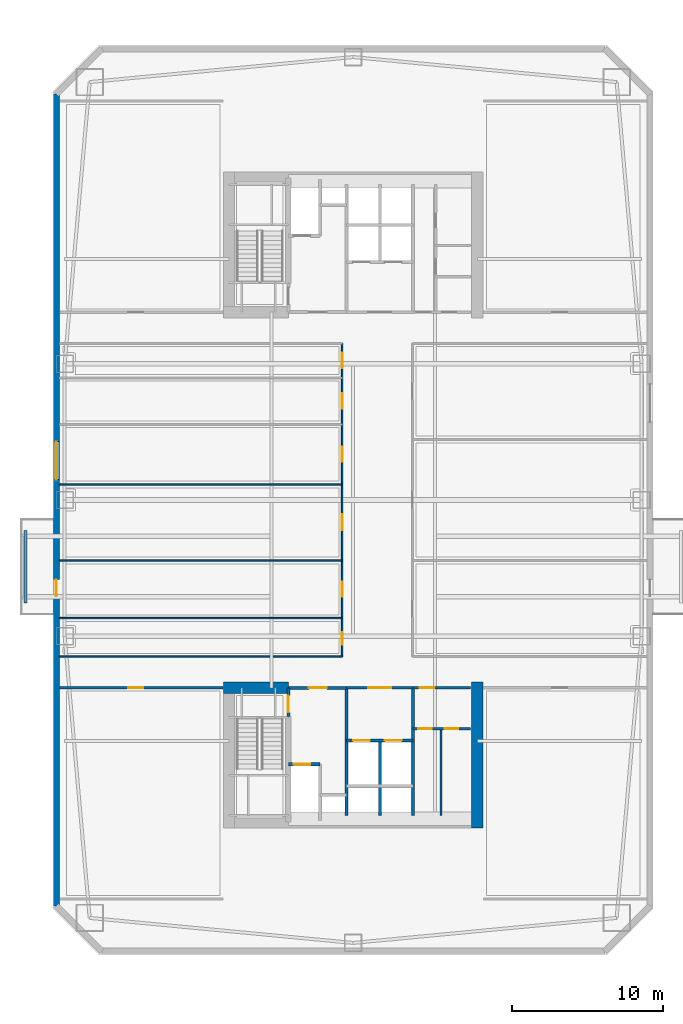
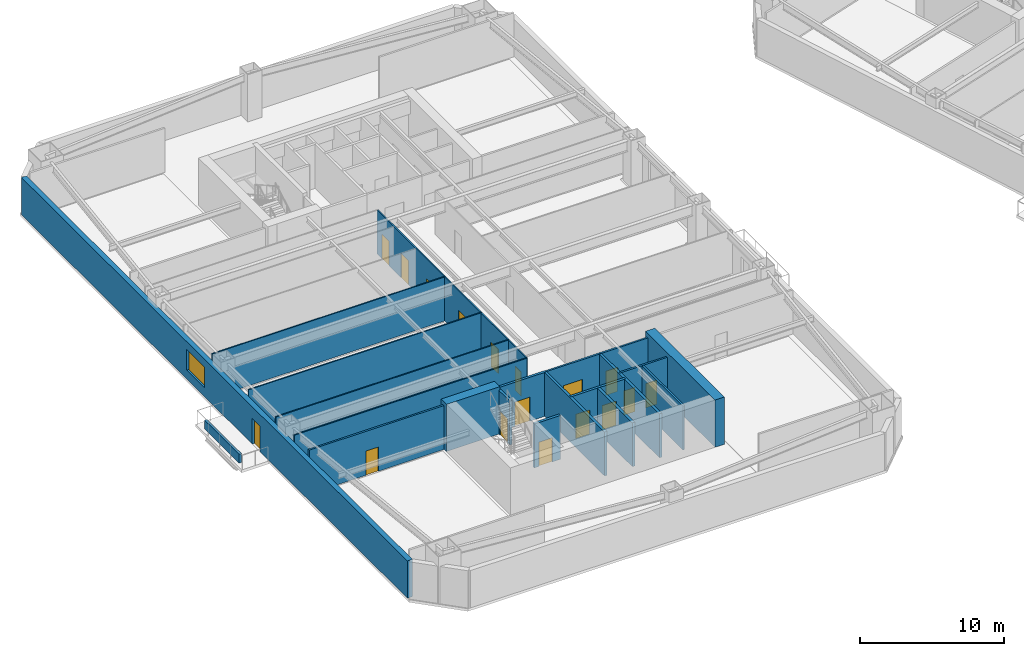
# One storey, part 4 of 18: 21 walls, 17 doors, 1 window, 18 openings.
"""IFC4 building model written with IfcOpenShell, lengths in metres."""

from ifc_helpers import new_model, si_unit, direction, frame, frame_2d, origin, place, context, subcontext, project, spatial, rectangle, extrude, material, layer, layer_set, type_object, element, fill, save


model = new_model("IFC4")

# Units and contexts
model_context = context("Model", 3, precision=1e-05, world=origin(), true_north=direction((0.0, 1.0)))
body_context = subcontext(model_context, "Body", "Model", "MODEL_VIEW")
ifc_project = project(units=[si_unit("LENGTHUNIT", "METRE"), si_unit("AREAUNIT", "SQUARE_METRE"), si_unit("VOLUMEUNIT", "CUBIC_METRE"), si_unit("PLANEANGLEUNIT", "RADIAN"), si_unit("MASSUNIT", "GRAM", prefix="KILO")], contexts=[model_context])

# Site, building, storey
site_placement = place(None, origin())
site = spatial("IfcSite", under=ifc_project, at=site_placement, CompositionType="ELEMENT")
building_placement = place(site_placement, origin())
building = spatial("IfcBuilding", under=site, at=building_placement, Name="Qiaolan Cultural Towers", CompositionType="ELEMENT")
storey_placement = place(building_placement, frame((0.0, 0.0, 38.0)))
storey = spatial("IfcBuildingStorey", under=building, at=storey_placement, Name="L08", CompositionType="ELEMENT", Elevation=38.0)

# Walls
ifc_material_1 = material(Name="Concrete C60", Category="concrete")
ifc_layer_1 = layer(ifc_material_1, 0.75)
ifc_layer_set_1 = layer_set([ifc_layer_1], Name="Concrete C60")
wall_type_1 = type_object("IfcWallType", Name="WL-CORE-750", PredefinedType="SHEAR", material=ifc_layer_set_1)
wall_1_placement = place(storey_placement, frame((38.199951171875, 21.97509765625, 0.0), z_axis=(0.0, 0.0, 1.0), x_axis=(0.0, -1.0, 0.0)))
element("IfcWall", 1, at=wall_1_placement, inside=storey, type_object=wall_type_1, Name="L08 T1-CS East Core Shear Wall", PredefinedType="SHEAR", context=body_context, shape_type="SweptSolid", body=[
    extrude(rectangle(XDim=9.630126953125, YDim=0.75, at=frame_2d((4.81494140625, 0.0))), origin(), (0.0, 0.0, 1.0), 4.0),
])
wall_2_placement = place(storey_placement, frame((21.425048828125, 21.60009765625, 0.0), z_axis=(0.0, 0.0, 1.0), x_axis=(1.0, 0.0, 0.0)))
element("IfcWall", 2, at=wall_2_placement, inside=storey, type_object=wall_type_1, Name="L08 T1-CS Stair Front Shear Wall", PredefinedType="SHEAR", context=body_context, shape_type="SweptSolid", body=[
    extrude(rectangle(XDim=4.294921875, YDim=0.75, at=frame_2d((2.1474609375, 0.0))), origin(), (0.0, 0.0, 1.0), 4.0),
])

# Wall, openings, door, window
ifc_material_2 = material(Name="Precast Concrete C50 Honed Stone Pier", Category="masonry")
ifc_layer_2 = layer(ifc_material_2, 0.39990234375)
ifc_layer_set_2 = layer_set([ifc_layer_2], Name="Precast Concrete C50 Honed Stone Pier")
wall_type_2 = type_object("IfcWallType", Name="WL-EXT-PIER-400", PredefinedType="SOLIDWALL", material=ifc_layer_set_2)
wall_3_placement = place(storey_placement, frame((10.39990234375, 7.199951171875, 0.0), z_axis=(0.0, 0.0, 1.0), x_axis=(0.0, 1.0, 0.0)))
wall_3 = element("IfcWall", 3, at=wall_3_placement, inside=storey, type_object=wall_type_2, Name="L08 West Tower Precast Pier Facade Wall F1", PredefinedType="SOLIDWALL", context=body_context, shape_type="SweptSolid", body=[
    extrude(rectangle(XDim=53.60009765625, YDim=0.39990234375, at=frame_2d((26.800048828125, 0.0))), origin(), (0.0, 0.0, 1.0), 3.159912109375),
])
opening_1_placement = place(wall_3_placement, frame((28.14990234375, 0.0, 0.75)))
opening_1 = element("IfcOpeningElement", 4, at=opening_1_placement, cuts=wall_3, Name="Opening W-01", PredefinedType="OPENING", context=body_context, shape_type="SweptSolid", body=[
    extrude(rectangle(XDim=2.5, YDim=1.75, at=frame_2d((1.25, 0.875))), frame((0.0, 0.2099609375, 0.0), z_axis=(0.0, -1.0, 0.0), x_axis=(1.0, 0.0, 0.0)), (0.0, 0.0, 1.0), 0.419921875),
])
opening_2_placement = place(wall_3_placement, frame((20.449951171875, 0.0, 0.0)))
opening_2 = element("IfcOpeningElement", 5, at=opening_2_placement, cuts=wall_3, Name="Opening BD-01", PredefinedType="OPENING", context=body_context, shape_type="SweptSolid", body=[
    extrude(rectangle(XDim=1.10009765625, YDim=2.14990234375, at=frame_2d((0.550048828125, 1.074951171875))), frame((0.0, 0.2099609375, 0.0), z_axis=(0.0, -1.0, 0.0), x_axis=(1.0, 0.0, 0.0)), (0.0, 0.0, 1.0), 0.419921875),
])
ifc_material_3 = material(Name="Thermally Broken Aluminium Glazed Terrace Door", Category="aluminium")
door_type_1 = type_object("IfcDoorType", Name="DR-BAL-1100", OperationType="NOTDEFINED", PredefinedType="DOOR", material=ifc_material_3)
door_1_placement = place(opening_2_placement, origin())
door_1 = element("IfcDoor", 6, at=door_1_placement, inside=storey, type_object=door_type_1, Name="L08 T1 West Tree Balcony Door", OperationType="SINGLE_SWING_LEFT", OverallHeight=2.14990234375, OverallWidth=1.10009765625, PredefinedType="DOOR", context=body_context, shape_type="SweptSolid", body=[
    extrude(rectangle(XDim=1.10009765625, YDim=2.14990234375, at=frame_2d((0.550048828125, 1.074951171875))), frame((0.0, 0.02490234375, 0.0), z_axis=(0.0, -1.0, 0.0), x_axis=(1.0, 0.0, 0.0)), (0.0, 0.0, 1.0), 0.050048828125),
])
fill(opening_2, door_1)
ifc_material_4 = material(Name="Thermally Broken Aluminium Triple Low-E Glazing", Category="aluminium")
window_type = type_object("IfcWindowType", Name="WN-CHIC-2500", PartitioningType="SINGLE_PANEL", PredefinedType="WINDOW", material=ifc_material_4)
window_placement = place(opening_1_placement, origin())
window = element("IfcWindow", 7, at=window_placement, inside=storey, type_object=window_type, Name="L08 T1 W Chicago Bay Window 1", OverallHeight=1.75, OverallWidth=2.5, PartitioningType="TRIPLE_PANEL_VERTICAL", PredefinedType="WINDOW", context=body_context, shape_type="SweptSolid", body=[
    extrude(rectangle(XDim=2.5, YDim=1.75, at=frame_2d((1.25, 0.875))), frame((0.0, 0.030029296875, 0.0), z_axis=(0.0, -1.0, 0.0), x_axis=(1.0, 0.0, 0.0)), (0.0, 0.0, 1.0), 0.06005859375),
])
fill(opening_1, window)

# Wall, opening, door
ifc_material_5 = material(Name="Concrete C35 Fire Wall", Category="concrete")
ifc_layer_3 = layer(ifc_material_5, 0.199951171875)
ifc_layer_set_3 = layer_set([ifc_layer_3], Name="Concrete C35 Fire Wall")
wall_type_3 = type_object("IfcWallType", Name="WL-FIRE-200", PredefinedType="PARTITIONING", material=ifc_layer_set_3)
wall_4_placement = place(storey_placement, frame((25.719970703125, 21.60009765625, 0.0), z_axis=(0.0, 0.0, 1.0), x_axis=(0.0, -1.0, 0.0)))
wall_4 = element("IfcWall", 8, at=wall_4_placement, inside=storey, type_object=wall_type_3, Name="L08 T1-CS Smokeproof Stair Entry Wall", PredefinedType="PARTITIONING", context=body_context, shape_type="SweptSolid", body=[
    extrude(rectangle(XDim=1.900146484375, YDim=0.199951171875, at=frame_2d((0.9501953125, 0.0))), origin(), (0.0, 0.0, 1.0), 3.72509765625),
])
opening_3_placement = place(wall_4_placement, frame((0.52001953125, 0.0, 0.0)))
opening_3 = element("IfcOpeningElement", 9, at=opening_3_placement, cuts=wall_4, Name="Opening FD-04", PredefinedType="OPENING", context=body_context, shape_type="SweptSolid", body=[
    extrude(rectangle(XDim=1.10009765625, YDim=2.050048828125, at=frame_2d((0.550048828125, 1.02490234375))), frame((0.0, 0.10986328125, 0.0), z_axis=(0.0, -1.0, 0.0), x_axis=(1.0, 0.0, 0.0)), (0.0, 0.0, 1.0), 0.219970703125),
])
ifc_material_6 = material(Name="Galvanized Steel Command Fire Door", Category="steel")
door_type_2 = type_object("IfcDoorType", Name="DR-FD90-1100", OperationType="NOTDEFINED", PredefinedType="DOOR", material=ifc_material_6)
door_2_placement = place(opening_3_placement, origin())
door_2 = element("IfcDoor", 10, at=door_2_placement, inside=storey, type_object=door_type_2, Name="L08 ST-W1 Smokeproof Stair Fire Door", OperationType="SINGLE_SWING_LEFT", OverallHeight=2.050048828125, OverallWidth=1.10009765625, PredefinedType="DOOR", context=body_context, shape_type="SweptSolid", body=[
    extrude(rectangle(XDim=1.10009765625, YDim=2.050048828125, at=frame_2d((0.550048828125, 1.02490234375))), frame((0.0, 0.02490234375, 0.0), z_axis=(0.0, -1.0, 0.0), x_axis=(1.0, 0.0, 0.0)), (0.0, 0.0, 1.0), 0.050048828125),
])
fill(opening_3, door_2)

# Wall
wall_5_placement = place(storey_placement, frame((29.550048828125, 21.60009765625, 0.0), z_axis=(0.0, 0.0, 1.0), x_axis=(0.0, -1.0, 0.0)))
element("IfcWall", 11, at=wall_5_placement, inside=storey, type_object=wall_type_3, Name="L08 T1-CS Firefighting Zone Wall", PredefinedType="PARTITIONING", context=body_context, shape_type="SweptSolid", body=[
    extrude(rectangle(XDim=8.43017578125, YDim=0.199951171875, at=frame_2d((4.215087890625, 0.0))), origin(), (0.0, 0.0, 1.0), 3.72509765625),
])

# Wall, opening, door
wall_6_placement = place(storey_placement, frame((25.719970703125, 21.60009765625, 0.0), z_axis=(0.0, 0.0, 1.0), x_axis=(1.0, 0.0, 0.0)))
wall_6 = element("IfcWall", 12, at=wall_6_placement, inside=storey, type_object=wall_type_3, Name="L08 T1-CS Firefighting Lobby Front Wall", PredefinedType="PARTITIONING", context=body_context, shape_type="SweptSolid", body=[
    extrude(rectangle(XDim=3.830078125, YDim=0.199951171875, at=frame_2d((1.9150390625, 0.0))), origin(), (0.0, 0.0, 1.0), 3.72509765625),
])
opening_4_placement = place(wall_6_placement, frame((1.35009765625, 0.0, 0.0)))
opening_4 = element("IfcOpeningElement", 13, at=opening_4_placement, cuts=wall_6, Name="Opening FD-03", PredefinedType="OPENING", context=body_context, shape_type="SweptSolid", body=[
    extrude(rectangle(XDim=1.199951171875, YDim=2.050048828125, at=frame_2d((0.60009765625, 1.02490234375))), frame((0.0, 0.10986328125, 0.0), z_axis=(0.0, -1.0, 0.0), x_axis=(1.0, 0.0, 0.0)), (0.0, 0.0, 1.0), 0.219970703125),
])
ifc_material_7 = material(Name="Galvanized Steel Smokeproof Lobby Fire Door", Category="steel")
door_type_3 = type_object("IfcDoorType", Name="DR-FD90-1200", OperationType="NOTDEFINED", PredefinedType="DOOR", material=ifc_material_7)
door_3_placement = place(opening_4_placement, origin())
door_3 = element("IfcDoor", 14, at=door_3_placement, inside=storey, type_object=door_type_3, Name="L08 FFL-W1 Firefighting Lobby Fire Door", OperationType="SINGLE_SWING_LEFT", OverallHeight=2.050048828125, OverallWidth=1.199951171875, PredefinedType="DOOR", context=body_context, shape_type="SweptSolid", body=[
    extrude(rectangle(XDim=1.199951171875, YDim=2.050048828125, at=frame_2d((0.60009765625, 1.02490234375))), frame((0.0, 0.02490234375, 0.0), z_axis=(0.0, -1.0, 0.0), x_axis=(1.0, 0.0, 0.0)), (0.0, 0.0, 1.0), 0.050048828125),
])
fill(opening_4, door_3)

wall_7_placement = place(storey_placement, frame((25.719970703125, 16.550048828125, 0.0), z_axis=(0.0, 0.0, 1.0), x_axis=(1.0, 0.0, 0.0)))
wall_7 = element("IfcWall", 15, at=wall_7_placement, inside=storey, type_object=wall_type_3, Name="L08 T1-CS Firefighting Shaft Front Wall", PredefinedType="PARTITIONING", context=body_context, shape_type="SweptSolid", body=[
    extrude(rectangle(XDim=2.10009765625, YDim=0.199951171875, at=frame_2d((1.050048828125, 0.0))), origin(), (0.0, 0.0, 1.0), 3.72509765625),
])
opening_5_placement = place(wall_7_placement, frame((0.35009765625, 0.0, 0.0)))
opening_5 = element("IfcOpeningElement", 16, at=opening_5_placement, cuts=wall_7, Name="Opening LD-01", PredefinedType="OPENING", context=body_context, shape_type="SweptSolid", body=[
    extrude(rectangle(XDim=1.10009765625, YDim=2.050048828125, at=frame_2d((0.550048828125, 1.02490234375))), frame((0.0, 0.10986328125, 0.0), z_axis=(0.0, -1.0, 0.0), x_axis=(1.0, 0.0, 0.0)), (0.0, 0.0, 1.0), 0.219970703125),
])
ifc_material_8 = material(Name="Brushed Stainless Steel S30408 Centre-Parting Lift Landing Door", Category="steel")
door_type_4 = type_object("IfcDoorType", Name="DR-LIFT-1100", OperationType="NOTDEFINED", PredefinedType="DOOR", material=ifc_material_8)
door_4_placement = place(opening_5_placement, origin())
door_4 = element("IfcDoor", 17, at=door_4_placement, inside=storey, type_object=door_type_4, Name="L08 FFL-W1 Firefighting Lift Landing Door", OperationType="DOUBLE_DOOR_SLIDING", OverallHeight=2.050048828125, OverallWidth=1.10009765625, PredefinedType="DOOR", context=body_context, shape_type="SweptSolid", body=[
    extrude(rectangle(XDim=1.10009765625, YDim=2.050048828125, at=frame_2d((0.550048828125, 1.02490234375))), frame((0.0, 0.02490234375, 0.0), z_axis=(0.0, -1.0, 0.0), x_axis=(1.0, 0.0, 0.0)), (0.0, 0.0, 1.0), 0.050048828125),
])
fill(opening_5, door_4)

# Wall
wall_8_placement = place(storey_placement, frame((33.949951171875, 21.60009765625, 0.0), z_axis=(0.0, 0.0, 1.0), x_axis=(0.0, -1.0, 0.0)))
element("IfcWall", 18, at=wall_8_placement, inside=storey, type_object=wall_type_3, Name="L08 T1-CS Lift Core East Wall", PredefinedType="PARTITIONING", context=body_context, shape_type="SweptSolid", body=[
    extrude(rectangle(XDim=8.43017578125, YDim=0.199951171875, at=frame_2d((4.215087890625, 0.0))), origin(), (0.0, 0.0, 1.0), 3.72509765625),
])

# Wall, openings, doors
wall_9_placement = place(storey_placement, frame((29.550048828125, 18.1201171875, 0.0), z_axis=(0.0, 0.0, 1.0), x_axis=(1.0, 0.0, 0.0)))
wall_9 = element("IfcWall", 19, at=wall_9_placement, inside=storey, type_object=wall_type_3, Name="L08 T1-CS Passenger Lift Shaft Front Wall", PredefinedType="PARTITIONING", context=body_context, shape_type="SweptSolid", body=[
    extrude(rectangle(XDim=4.39990234375, YDim=0.199951171875, at=frame_2d((2.199951171875, 0.0))), origin(), (0.0, 0.0, 1.0), 3.72509765625),
])
opening_6_placement = place(wall_9_placement, frame((0.449951171875, 0.0, 0.0)))
opening_6 = element("IfcOpeningElement", 20, at=opening_6_placement, cuts=wall_9, Name="Opening LD-01", PredefinedType="OPENING", context=body_context, shape_type="SweptSolid", body=[
    extrude(rectangle(XDim=1.10009765625, YDim=2.050048828125, at=frame_2d((0.550048828125, 1.02490234375))), frame((0.0, 0.10986328125, 0.0), z_axis=(0.0, -1.0, 0.0), x_axis=(1.0, 0.0, 0.0)), (0.0, 0.0, 1.0), 0.219970703125),
])
opening_7_placement = place(wall_9_placement, frame((2.550048828125, 0.0, 0.0)))
opening_7 = element("IfcOpeningElement", 21, at=opening_7_placement, cuts=wall_9, Name="Opening LD-01", PredefinedType="OPENING", context=body_context, shape_type="SweptSolid", body=[
    extrude(rectangle(XDim=1.10009765625, YDim=2.050048828125, at=frame_2d((0.550048828125, 1.02490234375))), frame((0.0, 0.10986328125, 0.0), z_axis=(0.0, -1.0, 0.0), x_axis=(1.0, 0.0, 0.0)), (0.0, 0.0, 1.0), 0.219970703125),
])
door_5_placement = place(opening_6_placement, origin())
door_5 = element("IfcDoor", 22, at=door_5_placement, inside=storey, type_object=door_type_4, Name="L08 Passenger Lift 1 Landing Door", OperationType="DOUBLE_DOOR_SLIDING", OverallHeight=2.050048828125, OverallWidth=1.10009765625, PredefinedType="DOOR", context=body_context, shape_type="SweptSolid", body=[
    extrude(rectangle(XDim=1.10009765625, YDim=2.050048828125, at=frame_2d((0.550048828125, 1.02490234375))), frame((0.0, 0.02490234375, 0.0), z_axis=(0.0, -1.0, 0.0), x_axis=(1.0, 0.0, 0.0)), (0.0, 0.0, 1.0), 0.050048828125),
])
fill(opening_6, door_5)
door_6_placement = place(opening_7_placement, origin())
door_6 = element("IfcDoor", 23, at=door_6_placement, inside=storey, type_object=door_type_4, Name="L08 Passenger Lift 2 Landing Door", OperationType="DOUBLE_DOOR_SLIDING", OverallHeight=2.050048828125, OverallWidth=1.10009765625, PredefinedType="DOOR", context=body_context, shape_type="SweptSolid", body=[
    extrude(rectangle(XDim=1.10009765625, YDim=2.050048828125, at=frame_2d((0.550048828125, 1.02490234375))), frame((0.0, 0.02490234375, 0.0), z_axis=(0.0, -1.0, 0.0), x_axis=(1.0, 0.0, 0.0)), (0.0, 0.0, 1.0), 0.050048828125),
])
fill(opening_7, door_6)

# Walls
wall_10_placement = place(storey_placement, frame((31.780029296875, 18.1201171875, 0.0), z_axis=(0.0, 0.0, 1.0), x_axis=(0.0, -1.0, 0.0)))
element("IfcWall", 24, at=wall_10_placement, inside=storey, type_object=wall_type_3, Name="L08 T1-CS Lift Shaft Divider Wall", PredefinedType="PARTITIONING", context=body_context, shape_type="SweptSolid", body=[
    extrude(rectangle(XDim=4.9501953125, YDim=0.199951171875, at=frame_2d((2.47509765625, 0.0))), origin(), (0.0, 0.0, 1.0), 3.72509765625),
])
ifc_material_9 = material(Name="Acoustic Double-Glazed Partition Frame", Category="glass")
ifc_layer_4 = layer(ifc_material_9, 0.10009765625)
ifc_layer_set_4 = layer_set([ifc_layer_4], Name="Acoustic Double-Glazed Partition Frame")
wall_type_4 = type_object("IfcWallType", Name="WL-GLAZED-100", PredefinedType="MOVABLE", material=ifc_layer_set_4)
wall_11_placement = place(storey_placement, frame((10.60009765625, 23.64990234375, 0.0), z_axis=(0.0, 0.0, 1.0), x_axis=(1.0, 0.0, 0.0)))
element("IfcWall", 25, at=wall_11_placement, inside=storey, type_object=wall_type_4, Name="L08 T1 South Corridor Left Wall", PredefinedType="MOVABLE", context=body_context, shape_type="SweptSolid", body=[
    extrude(rectangle(XDim=18.6748046875, YDim=0.10009765625, at=frame_2d((9.33740234375, 0.0))), origin(), (0.0, 0.0, 1.0), 3.72509765625),
])

# Wall, openings, doors
wall_12_placement = place(storey_placement, frame((29.27490234375, 23.64990234375, 0.0), z_axis=(0.0, 0.0, 1.0), x_axis=(0.0, 1.0, 0.0)))
wall_12 = element("IfcWall", 26, at=wall_12_placement, inside=storey, type_object=wall_type_4, Name="L08 T1 West Spine Wall", PredefinedType="MOVABLE", context=body_context, shape_type="SweptSolid", body=[
    extrude(rectangle(XDim=20.7001953125, YDim=0.10009765625, at=frame_2d((10.35009765625, 0.0))), origin(), (0.0, 0.0, 1.0), 3.72509765625),
])
opening_8_placement = place(wall_12_placement, frame((0.77490234375, 0.0, 0.0)))
opening_8 = element("IfcOpeningElement", 27, at=opening_8_placement, cuts=wall_12, Name="Opening ID-09", PredefinedType="OPENING", context=body_context, shape_type="SweptSolid", body=[
    extrude(rectangle(XDim=0.85009765625, YDim=2.050048828125, at=frame_2d((0.425048828125, 1.02490234375))), frame((0.0, 0.06005859375, 0.0), z_axis=(0.0, -1.0, 0.0), x_axis=(1.0, 0.0, 0.0)), (0.0, 0.0, 1.0), 0.1201171875),
])
opening_9_placement = place(wall_12_placement, frame((3.949951171875, 0.0, 0.0)))
opening_9 = element("IfcOpeningElement", 28, at=opening_9_placement, cuts=wall_12, Name="Opening ID-04", PredefinedType="OPENING", context=body_context, shape_type="SweptSolid", body=[
    extrude(rectangle(XDim=1.0, YDim=2.050048828125, at=frame_2d((0.5, 1.02490234375))), frame((0.0, 0.06005859375, 0.0), z_axis=(0.0, -1.0, 0.0), x_axis=(1.0, 0.0, 0.0)), (0.0, 0.0, 1.0), 0.1201171875),
])
opening_10_placement = place(wall_12_placement, frame((8.364013671875, 0.0, 0.0)))
opening_10 = element("IfcOpeningElement", 29, at=opening_10_placement, cuts=wall_12, Name="Opening ID-07", PredefinedType="OPENING", context=body_context, shape_type="SweptSolid", body=[
    extrude(rectangle(XDim=1.050048828125, YDim=2.050048828125, at=frame_2d((0.52490234375, 1.02490234375))), frame((0.0, 0.06005859375, 0.0), z_axis=(0.0, -1.0, 0.0), x_axis=(1.0, 0.0, 0.0)), (0.0, 0.0, 1.0), 0.1201171875),
])
opening_11_placement = place(wall_12_placement, frame((12.864013671875, 0.0, 0.0)))
opening_11 = element("IfcOpeningElement", 30, at=opening_11_placement, cuts=wall_12, Name="Opening ID-04", PredefinedType="OPENING", context=body_context, shape_type="SweptSolid", body=[
    extrude(rectangle(XDim=1.0, YDim=2.050048828125, at=frame_2d((0.5, 1.02490234375))), frame((0.0, 0.06005859375, 0.0), z_axis=(0.0, -1.0, 0.0), x_axis=(1.0, 0.0, 0.0)), (0.0, 0.0, 1.0), 0.1201171875),
])
opening_12_placement = place(wall_12_placement, frame((16.383056640625, 0.0, 0.0)))
opening_12 = element("IfcOpeningElement", 31, at=opening_12_placement, cuts=wall_12, Name="Opening ID-04", PredefinedType="OPENING", context=body_context, shape_type="SweptSolid", body=[
    extrude(rectangle(XDim=1.0, YDim=2.050048828125, at=frame_2d((0.5, 1.02490234375))), frame((0.0, 0.06005859375, 0.0), z_axis=(0.0, -1.0, 0.0), x_axis=(1.0, 0.0, 0.0)), (0.0, 0.0, 1.0), 0.1201171875),
])
opening_13_placement = place(wall_12_placement, frame((19.05810546875, 0.0, 0.0)))
opening_13 = element("IfcOpeningElement", 32, at=opening_13_placement, cuts=wall_12, Name="Opening ID-04", PredefinedType="OPENING", context=body_context, shape_type="SweptSolid", body=[
    extrude(rectangle(XDim=1.0, YDim=2.050048828125, at=frame_2d((0.5, 1.02490234375))), frame((0.0, 0.06005859375, 0.0), z_axis=(0.0, -1.0, 0.0), x_axis=(1.0, 0.0, 0.0)), (0.0, 0.0, 1.0), 0.1201171875),
])
ifc_material_10 = material(Name="Oak Veneer Acoustic Office Door", Category="timber")
door_type_5 = type_object("IfcDoorType", Name="DR-INT-1000", OperationType="NOTDEFINED", PredefinedType="DOOR", material=ifc_material_10)
door_7_placement = place(opening_9_placement, origin())
door_7 = element("IfcDoor", 33, at=door_7_placement, inside=storey, type_object=door_type_5, Name="L08 T1 Curatorial Research Office Door", OperationType="SINGLE_SWING_RIGHT", OverallHeight=2.050048828125, OverallWidth=1.0, PredefinedType="DOOR", context=body_context, shape_type="SweptSolid", body=[
    extrude(rectangle(XDim=1.0, YDim=2.050048828125, at=frame_2d((0.5, 1.02490234375))), frame((0.0, 0.02490234375, 0.0), z_axis=(0.0, -1.0, 0.0), x_axis=(1.0, 0.0, 0.0)), (0.0, 0.0, 1.0), 0.050048828125),
])
fill(opening_9, door_7)
door_8_placement = place(opening_11_placement, origin())
door_8 = element("IfcDoor", 34, at=door_8_placement, inside=storey, type_object=door_type_5, Name="L08 T1 Wellness Consultation Room Door", OperationType="SINGLE_SWING_RIGHT", OverallHeight=2.050048828125, OverallWidth=1.0, PredefinedType="DOOR", context=body_context, shape_type="SweptSolid", body=[
    extrude(rectangle(XDim=1.0, YDim=2.050048828125, at=frame_2d((0.5, 1.02490234375))), frame((0.0, 0.02490234375, 0.0), z_axis=(0.0, -1.0, 0.0), x_axis=(1.0, 0.0, 0.0)), (0.0, 0.0, 1.0), 0.050048828125),
])
fill(opening_11, door_8)
door_9_placement = place(opening_12_placement, origin())
door_9 = element("IfcDoor", 35, at=door_9_placement, inside=storey, type_object=door_type_5, Name="L08 T1 Wellness Consultation Room Door", OperationType="SINGLE_SWING_LEFT", OverallHeight=2.050048828125, OverallWidth=1.0, PredefinedType="DOOR", context=body_context, shape_type="SweptSolid", body=[
    extrude(rectangle(XDim=1.0, YDim=2.050048828125, at=frame_2d((0.5, 1.02490234375))), frame((0.0, 0.02490234375, 0.0), z_axis=(0.0, -1.0, 0.0), x_axis=(1.0, 0.0, 0.0)), (0.0, 0.0, 1.0), 0.050048828125),
])
fill(opening_12, door_9)
door_10_placement = place(opening_13_placement, origin())
door_10 = element("IfcDoor", 36, at=door_10_placement, inside=storey, type_object=door_type_5, Name="L08 T1 Staff Lounge Door", OperationType="SINGLE_SWING_RIGHT", OverallHeight=2.050048828125, OverallWidth=1.0, PredefinedType="DOOR", context=body_context, shape_type="SweptSolid", body=[
    extrude(rectangle(XDim=1.0, YDim=2.050048828125, at=frame_2d((0.5, 1.02490234375))), frame((0.0, 0.02490234375, 0.0), z_axis=(0.0, -1.0, 0.0), x_axis=(1.0, 0.0, 0.0)), (0.0, 0.0, 1.0), 0.050048828125),
])
fill(opening_13, door_10)
ifc_material_11 = material(Name="Oak Veneer Consultation Door", Category="timber")
door_type_6 = type_object("IfcDoorType", Name="DR-INT-1050", OperationType="NOTDEFINED", PredefinedType="DOOR", material=ifc_material_11)
door_11_placement = place(opening_10_placement, origin())
door_11 = element("IfcDoor", 37, at=door_11_placement, inside=storey, type_object=door_type_6, Name="L08 T1 Curatorial Research Office Door", OperationType="SINGLE_SWING_LEFT", OverallHeight=2.050048828125, OverallWidth=1.050048828125, PredefinedType="DOOR", context=body_context, shape_type="SweptSolid", body=[
    extrude(rectangle(XDim=1.050048828125, YDim=2.050048828125, at=frame_2d((0.52490234375, 1.02490234375))), frame((0.0, 0.02490234375, 0.0), z_axis=(0.0, -1.0, 0.0), x_axis=(1.0, 0.0, 0.0)), (0.0, 0.0, 1.0), 0.050048828125),
])
fill(opening_10, door_11)
ifc_material_12 = material(Name="Moisture-Resistant Laminate Utility Door", Category="timber")
door_type_7 = type_object("IfcDoorType", Name="DR-INT-850", OperationType="NOTDEFINED", PredefinedType="DOOR", material=ifc_material_12)
door_12_placement = place(opening_8_placement, origin())
door_12 = element("IfcDoor", 38, at=door_12_placement, inside=storey, type_object=door_type_7, Name="L08 T1 Project Briefing Room Door", OperationType="SINGLE_SWING_LEFT", OverallHeight=2.050048828125, OverallWidth=0.85009765625, PredefinedType="DOOR", context=body_context, shape_type="SweptSolid", body=[
    extrude(rectangle(XDim=0.85009765625, YDim=2.050048828125, at=frame_2d((0.425048828125, 1.02490234375))), frame((0.0, 0.02490234375, 0.0), z_axis=(0.0, -1.0, 0.0), x_axis=(1.0, 0.0, 0.0)), (0.0, 0.0, 1.0), 0.050048828125),
])
fill(opening_8, door_12)

# Walls
for number, where, z_axis, x_axis, name in (
    (39, (10.60009765625, 26.199951171875, 0.0), (0.0, 0.0, 1.0), (1.0, 0.0, 0.0), "L08 T1 West Partition 1"),
    (40, (10.60009765625, 30.0, 0.0), (0.0, 0.0, 1.0), (1.0, 0.0, 0.0), "L08 T1 West Partition 2"),
    (41, (10.60009765625, 35.028076171875, 0.0), (0.0, 0.0, 1.0), (1.0, 0.0, 0.0), "L08 T1 West Partition 3"),
):
    element("IfcWall", number, at=place(storey_placement, frame(where, z_axis=z_axis, x_axis=x_axis)), inside=storey, type_object=wall_type_4, Name=name, PredefinedType="MOVABLE", context=body_context, shape_type="SweptSolid", body=[
        extrude(rectangle(XDim=18.6748046875, YDim=0.10009765625, at=frame_2d((9.33740234375, 0.0))), origin(), (0.0, 0.0, 1.0), 3.72509765625),
    ])

# Wall, opening, door
ifc_material_13 = material(Name="Autoclaved Aerated Concrete Block B06", Category="concrete")
ifc_layer_5 = layer(ifc_material_13, 0.14990234375)
ifc_layer_set_5 = layer_set([ifc_layer_5], Name="Autoclaved Aerated Concrete Block B06")
wall_type_5 = type_object("IfcWallType", Name="WL-PART-150", PredefinedType="PARTITIONING", material=ifc_layer_set_5)
wall_13_placement = place(storey_placement, frame((29.550048828125, 21.60009765625, 0.0), z_axis=(0.0, 0.0, 1.0), x_axis=(1.0, 0.0, 0.0)))
wall_13 = element("IfcWall", 42, at=wall_13_placement, inside=storey, type_object=wall_type_5, Name="L08 T1-CS Passenger Lift Lobby Front Wall", PredefinedType="PARTITIONING", context=body_context, shape_type="SweptSolid", body=[
    extrude(rectangle(XDim=4.39990234375, YDim=0.14990234375, at=frame_2d((2.199951171875, 0.0))), origin(), (0.0, 0.0, 1.0), 3.72509765625),
])
opening_14_placement = place(wall_13_placement, frame((1.449951171875, 0.0, 0.0)))
opening_14 = element("IfcOpeningElement", 43, at=opening_14_placement, cuts=wall_13, Name="Opening FD-05", PredefinedType="OPENING", context=body_context, shape_type="SweptSolid", body=[
    extrude(rectangle(XDim=1.5, YDim=2.050048828125, at=frame_2d((0.75, 1.02490234375))), frame((0.0, 0.0849609375, 0.0), z_axis=(0.0, -1.0, 0.0), x_axis=(1.0, 0.0, 0.0)), (0.0, 0.0, 1.0), 0.169921875),
])
ifc_material_14 = material(Name="Painted Steel Lift Lobby Fire Door", Category="steel")
door_type_8 = type_object("IfcDoorType", Name="DR-FD60-1500", OperationType="NOTDEFINED", PredefinedType="DOOR", material=ifc_material_14)
door_13_placement = place(opening_14_placement, origin())
door_13 = element("IfcDoor", 44, at=door_13_placement, inside=storey, type_object=door_type_8, Name="L08 Passenger Lift Lobby Entrance", OperationType="SINGLE_SWING_LEFT", OverallHeight=2.050048828125, OverallWidth=1.5, PredefinedType="DOOR", context=body_context, shape_type="SweptSolid", body=[
    extrude(rectangle(XDim=1.5, YDim=2.050048828125, at=frame_2d((0.75, 1.02490234375))), frame((0.0, 0.02490234375, 0.0), z_axis=(0.0, -1.0, 0.0), x_axis=(1.0, 0.0, 0.0)), (0.0, 0.0, 1.0), 0.050048828125),
])
fill(opening_14, door_13)

wall_14_placement = place(storey_placement, frame((33.949951171875, 21.60009765625, 0.0), z_axis=(0.0, 0.0, 1.0), x_axis=(1.0, 0.0, 0.0)))
wall_14 = element("IfcWall", 45, at=wall_14_placement, inside=storey, type_object=wall_type_5, Name="L08 T1-CS Sanitary Core Front Wall", PredefinedType="PARTITIONING", context=body_context, shape_type="SweptSolid", body=[
    extrude(rectangle(XDim=3.800048828125, YDim=0.14990234375, at=frame_2d((1.89990234375, 0.0))), origin(), (0.0, 0.0, 1.0), 3.72509765625),
])
opening_15_placement = place(wall_14_placement, frame((0.449951171875, 0.0, 0.0)))
opening_15 = element("IfcOpeningElement", 46, at=opening_15_placement, cuts=wall_14, Name="Opening ID-05", PredefinedType="OPENING", context=body_context, shape_type="SweptSolid", body=[
    extrude(rectangle(XDim=0.949951171875, YDim=2.050048828125, at=frame_2d((0.47509765625, 1.02490234375))), frame((0.0, 0.0849609375, 0.0), z_axis=(0.0, -1.0, 0.0), x_axis=(1.0, 0.0, 0.0)), (0.0, 0.0, 1.0), 0.169921875),
])
ifc_material_15 = material(Name="Fire-Rated Laminate Accessible Core Door", Category="timber")
door_type_9 = type_object("IfcDoorType", Name="DR-INT-950", OperationType="NOTDEFINED", PredefinedType="DOOR", material=ifc_material_15)
door_14_placement = place(opening_15_placement, origin())
door_14 = element("IfcDoor", 47, at=door_14_placement, inside=storey, type_object=door_type_9, Name="L08 Sanitary Vestibule Door", OperationType="SINGLE_SWING_LEFT", OverallHeight=2.050048828125, OverallWidth=0.949951171875, PredefinedType="DOOR", context=body_context, shape_type="SweptSolid", body=[
    extrude(rectangle(XDim=0.949951171875, YDim=2.050048828125, at=frame_2d((0.47509765625, 1.02490234375))), frame((0.0, 0.02490234375, 0.0), z_axis=(0.0, -1.0, 0.0), x_axis=(1.0, 0.0, 0.0)), (0.0, 0.0, 1.0), 0.050048828125),
])
fill(opening_15, door_14)

# Wall, openings, doors
wall_15_placement = place(storey_placement, frame((33.949951171875, 18.89990234375, 0.0), z_axis=(0.0, 0.0, 1.0), x_axis=(1.0, 0.0, 0.0)))
wall_15 = element("IfcWall", 48, at=wall_15_placement, inside=storey, type_object=wall_type_5, Name="L08 T1-CS Restroom Vestibule Wall", PredefinedType="PARTITIONING", context=body_context, shape_type="SweptSolid", body=[
    extrude(rectangle(XDim=3.800048828125, YDim=0.14990234375, at=frame_2d((1.89990234375, 0.0))), origin(), (0.0, 0.0, 1.0), 3.72509765625),
])
opening_16_placement = place(wall_15_placement, frame((0.35009765625, 0.0, 0.0)))
opening_16 = element("IfcOpeningElement", 49, at=opening_16_placement, cuts=wall_15, Name="Opening ID-06", PredefinedType="OPENING", context=body_context, shape_type="SweptSolid", body=[
    extrude(rectangle(XDim=0.89990234375, YDim=2.050048828125, at=frame_2d((0.449951171875, 1.02490234375))), frame((0.0, 0.0849609375, 0.0), z_axis=(0.0, -1.0, 0.0), x_axis=(1.0, 0.0, 0.0)), (0.0, 0.0, 1.0), 0.169921875),
])
opening_17_placement = place(wall_15_placement, frame((2.10009765625, 0.0, 0.0)))
opening_17 = element("IfcOpeningElement", 50, at=opening_17_placement, cuts=wall_15, Name="Opening ID-06", PredefinedType="OPENING", context=body_context, shape_type="SweptSolid", body=[
    extrude(rectangle(XDim=0.89990234375, YDim=2.050048828125, at=frame_2d((0.449951171875, 1.02490234375))), frame((0.0, 0.0849609375, 0.0), z_axis=(0.0, -1.0, 0.0), x_axis=(1.0, 0.0, 0.0)), (0.0, 0.0, 1.0), 0.169921875),
])
ifc_material_16 = material(Name="Fire-Rated Laminate Core Service Door", Category="timber")
door_type_10 = type_object("IfcDoorType", Name="DR-INT-900", OperationType="NOTDEFINED", PredefinedType="DOOR", material=ifc_material_16)
door_15_placement = place(opening_16_placement, origin())
door_15 = element("IfcDoor", 51, at=door_15_placement, inside=storey, type_object=door_type_10, Name="L08 Men Restroom Door", OperationType="SINGLE_SWING_LEFT", OverallHeight=2.050048828125, OverallWidth=0.89990234375, PredefinedType="DOOR", context=body_context, shape_type="SweptSolid", body=[
    extrude(rectangle(XDim=0.89990234375, YDim=2.050048828125, at=frame_2d((0.449951171875, 1.02490234375))), frame((0.0, 0.02490234375, 0.0), z_axis=(0.0, -1.0, 0.0), x_axis=(1.0, 0.0, 0.0)), (0.0, 0.0, 1.0), 0.050048828125),
])
fill(opening_16, door_15)
door_16_placement = place(opening_17_placement, origin())
door_16 = element("IfcDoor", 52, at=door_16_placement, inside=storey, type_object=door_type_10, Name="L08 Accessible & Women Restroom Door", OperationType="SINGLE_SWING_RIGHT", OverallHeight=2.050048828125, OverallWidth=0.89990234375, PredefinedType="DOOR", context=body_context, shape_type="SweptSolid", body=[
    extrude(rectangle(XDim=0.89990234375, YDim=2.050048828125, at=frame_2d((0.449951171875, 1.02490234375))), frame((0.0, 0.02490234375, 0.0), z_axis=(0.0, -1.0, 0.0), x_axis=(1.0, 0.0, 0.0)), (0.0, 0.0, 1.0), 0.050048828125),
])
fill(opening_17, door_16)

# Wall
wall_16_placement = place(storey_placement, frame((35.800048828125, 18.89990234375, 0.0), z_axis=(0.0, 0.0, 1.0), x_axis=(0.0, -1.0, 0.0)))
element("IfcWall", 53, at=wall_16_placement, inside=storey, type_object=wall_type_5, Name="L08 T1-CS Restroom Divider Wall", PredefinedType="PARTITIONING", context=body_context, shape_type="SweptSolid", body=[
    extrude(rectangle(XDim=5.72998046875, YDim=0.14990234375, at=frame_2d((2.864990234375, 0.0))), origin(), (0.0, 0.0, 1.0), 3.72509765625),
])

# Wall, opening, door
wall_17_placement = place(storey_placement, frame((10.60009765625, 21.60009765625, 0.0), z_axis=(0.0, 0.0, 1.0), x_axis=(1.0, 0.0, 0.0)))
wall_17 = element("IfcWall", 54, at=wall_17_placement, inside=storey, type_object=wall_type_5, Name="L08 T1 Flank Front FLK-SW", PredefinedType="PARTITIONING", context=body_context, shape_type="SweptSolid", body=[
    extrude(rectangle(XDim=10.7998046875, YDim=0.14990234375, at=frame_2d((5.39990234375, 0.0))), origin(), (0.0, 0.0, 1.0), 3.72509765625),
])
opening_18_placement = place(wall_17_placement, frame((4.535888671875, 0.0, 0.0)))
opening_18 = element("IfcOpeningElement", 55, at=opening_18_placement, cuts=wall_17, Name="Opening ID-04", PredefinedType="OPENING", context=body_context, shape_type="SweptSolid", body=[
    extrude(rectangle(XDim=1.0, YDim=2.050048828125, at=frame_2d((0.5, 1.02490234375))), frame((0.0, 0.0849609375, 0.0), z_axis=(0.0, -1.0, 0.0), x_axis=(1.0, 0.0, 0.0)), (0.0, 0.0, 1.0), 0.169921875),
])
door_17_placement = place(opening_18_placement, origin())
door_17 = element("IfcDoor", 56, at=door_17_placement, inside=storey, type_object=door_type_5, Name="L08 T1 Corner Studio Door", OperationType="SINGLE_SWING_LEFT", OverallHeight=2.050048828125, OverallWidth=1.0, PredefinedType="DOOR", context=body_context, shape_type="SweptSolid", body=[
    extrude(rectangle(XDim=1.0, YDim=2.050048828125, at=frame_2d((0.5, 1.02490234375))), frame((0.0, 0.02490234375, 0.0), z_axis=(0.0, -1.0, 0.0), x_axis=(1.0, 0.0, 0.0)), (0.0, 0.0, 1.0), 0.050048828125),
])
fill(opening_18, door_17)

# Wall
ifc_material_17 = material(Name="Precast Concrete C45 Tree Planter Upstand", Category="concrete")
ifc_layer_6 = layer(ifc_material_17, 0.199951171875)
ifc_layer_set_6 = layer_set([ifc_layer_6], Name="Precast Concrete C45 Tree Planter Upstand")
wall_type_6 = type_object("IfcWallType", Name="WL-PLANTER-200", PredefinedType="PARAPET", material=ifc_layer_set_6)
wall_18_placement = place(storey_placement, frame((8.35009765625, 27.199951171875, 0.0), z_axis=(0.0, 0.0, 1.0), x_axis=(0.0, 1.0, 0.0)))
element("IfcWall", 57, at=wall_18_placement, inside=storey, type_object=wall_type_6, Name="L08 T1 Tree Balcony Soil Planter Box W", PredefinedType="PARAPET", context=body_context, shape_type="SweptSolid", body=[
    extrude(rectangle(XDim=4.800048828125, YDim=0.199951171875, at=frame_2d((2.39990234375, 0.0))), origin(), (0.0, 0.0, 1.0), 0.75),
])

save(model, "model.ifc")
